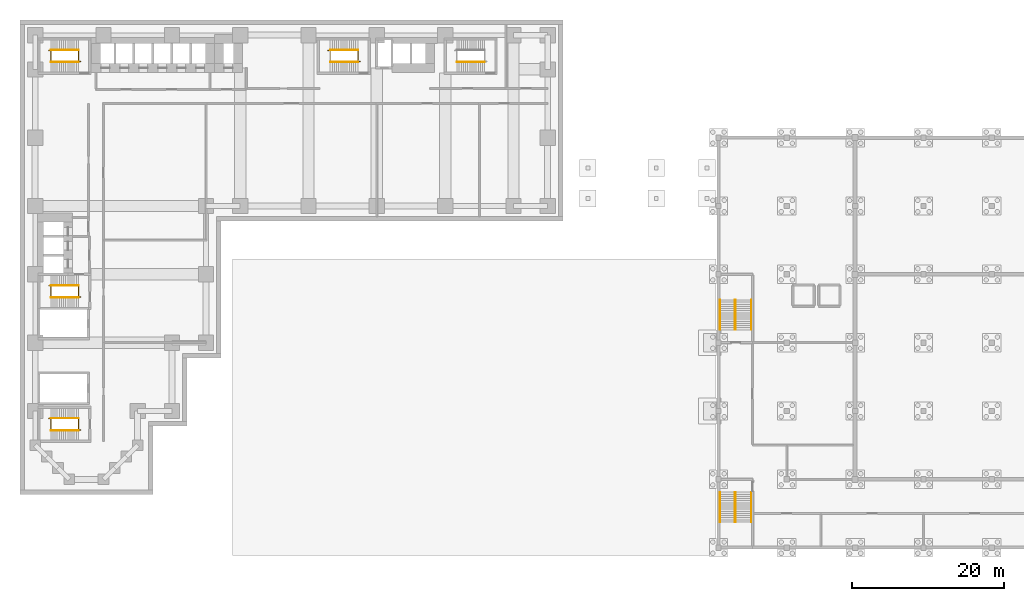
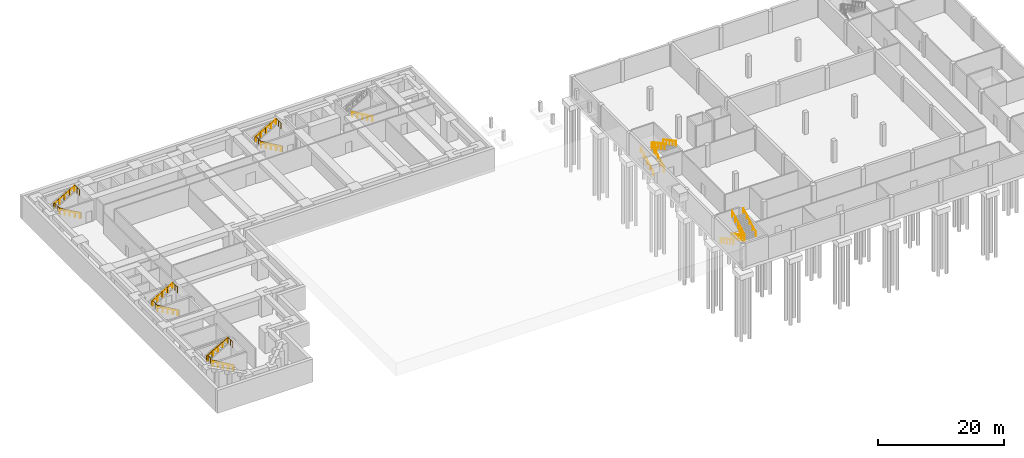
# One storey, part 11 of 12: 23 railings.
"""IFC4 building model written with IfcOpenShell, lengths in metres."""

from ifc_helpers import new_model, si_unit, direction, frame, origin, origin_2d, place, context, subcontext, project, spatial, circle, extrude, material, type_object, element, save


model = new_model("IFC4")

# Units and contexts
model_context = context("Model", 3, precision=1e-05, world=origin(), true_north=direction((0.0, 1.0)))
body_context = subcontext(model_context, "Body", "Model", "MODEL_VIEW")
ifc_project = project(units=[si_unit("LENGTHUNIT", "METRE"), si_unit("AREAUNIT", "SQUARE_METRE"), si_unit("VOLUMEUNIT", "CUBIC_METRE"), si_unit("PLANEANGLEUNIT", "RADIAN"), si_unit("MASSUNIT", "GRAM", prefix="KILO")], contexts=[model_context])

# Site, building, storey
site_placement = place(None, origin())
site = spatial("IfcSite", under=ifc_project, at=site_placement, CompositionType="ELEMENT")
building_placement = place(site_placement, origin())
building = spatial("IfcBuilding", under=site, at=building_placement, Name="Firuza Court", CompositionType="ELEMENT")
storey_placement = place(building_placement, frame((0.0, 0.0, -4.5)))
storey = spatial("IfcBuildingStorey", under=building, at=storey_placement, Name="B1", CompositionType="ELEMENT", Elevation=-4.5)

# Railings
ifc_material_1 = material(Name="Steel S355", Category="steel")
railing_type_1 = type_object("IfcRailingType", Name="HALL HANDRAIL 900", PredefinedType="HANDRAIL", material=ifc_material_1)
railing_1_placement = place(storey_placement, frame((90.18994140625, -1.699951171875, 0.14990234375)))
element("IfcRailing", 1, at=railing_1_placement, inside=storey, type_object=railing_type_1, Name="Stair H1 flight 1 handrail B1", PredefinedType="HANDRAIL", context=body_context, shape_type="SweptSolid", body=[
    extrude(circle(Radius=0.02099609375, at=origin_2d()), frame((0.0, 0.0, 0.87890625), z_axis=(0.0, -0.881479153919, 0.472222935917), x_axis=(1.0, 0.0, 0.0)), (0.0, 0.0, 1.0), 4.447265625),
    extrude(circle(Radius=0.02001953125, at=origin_2d()), origin(), (0.0, 0.0, 1.0), 0.85791015625),
    extrude(circle(Radius=0.02001953125, at=origin_2d()), frame((0.0, -0.97998046875, 0.52490234375)), (0.0, 0.0, 1.0), 0.85791015625),
    extrude(circle(Radius=0.02001953125, at=origin_2d()), frame((0.0, -1.9599609375, 1.050048828125)), (0.0, 0.0, 1.0), 0.85791015625),
    extrude(circle(Radius=0.02001953125, at=origin_2d()), frame((0.0, -2.940185546875, 1.5751953125)), (0.0, 0.0, 1.0), 0.85791015625),
    extrude(circle(Radius=0.02001953125, at=origin_2d()), frame((0.0, -3.920166015625, 2.10009765625)), (0.0, 0.0, 1.0), 0.85791015625),
])
for number, where, name in (
    (2, (94.31005859375, -5.6201171875, 2.39990234375), "Stair H1 flight 2 handrail B1"),
    (3, (90.18994140625, 19.699951171875, 0.14990234375), "Stair H3 flight 1 handrail B1"),
):
    element("IfcRailing", number, at=place(storey_placement, frame(where)), inside=storey, type_object=railing_type_1, Name=name, PredefinedType="HANDRAIL", context=body_context, shape_type="SweptSolid", body=[
        extrude(circle(Radius=0.02099609375, at=origin_2d()), frame((0.0, 0.0, 0.87890625), z_axis=(0.0, 0.881479153919, 0.472222935917), x_axis=(-1.0, 0.0, 0.0)), (0.0, 0.0, 1.0), 4.447265625),
        extrude(circle(Radius=0.02001953125, at=origin_2d()), origin(), (0.0, 0.0, 1.0), 0.85791015625),
        extrude(circle(Radius=0.02001953125, at=origin_2d()), frame((0.0, 0.97998046875, 0.52490234375)), (0.0, 0.0, 1.0), 0.85791015625),
        extrude(circle(Radius=0.02001953125, at=origin_2d()), frame((0.0, 1.9599609375, 1.050048828125)), (0.0, 0.0, 1.0), 0.85791015625),
        extrude(circle(Radius=0.02001953125, at=origin_2d()), frame((0.0, 2.940185546875, 1.5751953125)), (0.0, 0.0, 1.0), 0.85791015625),
        extrude(circle(Radius=0.02001953125, at=origin_2d()), frame((0.0, 3.920166015625, 2.10009765625)), (0.0, 0.0, 1.0), 0.85791015625),
    ])
railing_2_placement = place(storey_placement, frame((94.31005859375, 23.6201171875, 2.39990234375)))
element("IfcRailing", 4, at=railing_2_placement, inside=storey, type_object=railing_type_1, Name="Stair H3 flight 2 handrail B1", PredefinedType="HANDRAIL", context=body_context, shape_type="SweptSolid", body=[
    extrude(circle(Radius=0.02099609375, at=origin_2d()), frame((0.0, 0.0, 0.87890625), z_axis=(0.0, -0.881479153919, 0.472222935917), x_axis=(1.0, 0.0, 0.0)), (0.0, 0.0, 1.0), 4.447265625),
    extrude(circle(Radius=0.02001953125, at=origin_2d()), origin(), (0.0, 0.0, 1.0), 0.85791015625),
    extrude(circle(Radius=0.02001953125, at=origin_2d()), frame((0.0, -0.97998046875, 0.52490234375)), (0.0, 0.0, 1.0), 0.85791015625),
    extrude(circle(Radius=0.02001953125, at=origin_2d()), frame((0.0, -1.9599609375, 1.050048828125)), (0.0, 0.0, 1.0), 0.85791015625),
    extrude(circle(Radius=0.02001953125, at=origin_2d()), frame((0.0, -2.940185546875, 1.5751953125)), (0.0, 0.0, 1.0), 0.85791015625),
    extrude(circle(Radius=0.02001953125, at=origin_2d()), frame((0.0, -3.920166015625, 2.10009765625)), (0.0, 0.0, 1.0), 0.85791015625),
])
ifc_material_2 = material(Name="Steel S355", Category="steel")
railing_type_2 = type_object("IfcRailingType", Name="HALL RAILING 1100", PredefinedType="GUARDRAIL", material=ifc_material_2)
railing_3_placement = place(storey_placement, frame((92.14990234375, -1.699951171875, 0.14990234375)))
element("IfcRailing", 5, at=railing_3_placement, inside=storey, type_object=railing_type_2, Name="Stair H1 flight 1 guard B1", PredefinedType="GUARDRAIL", context=body_context, shape_type="SweptSolid", body=[
    extrude(circle(Radius=0.02392578125, at=origin_2d()), frame((0.0, 0.0, 1.076171875), z_axis=(0.0, -0.881479153919, 0.472222935917), x_axis=(1.0, 0.0, 0.0)), (0.0, 0.0, 1.0), 4.447265625),
    extrude(circle(Radius=0.02099609375, at=origin_2d()), origin(), (0.0, 0.0, 1.0), 1.052001953125),
    extrude(circle(Radius=0.02099609375, at=origin_2d()), frame((0.0, -0.97998046875, 0.52490234375)), (0.0, 0.0, 1.0), 1.052001953125),
    extrude(circle(Radius=0.02099609375, at=origin_2d()), frame((0.0, -1.9599609375, 1.050048828125)), (0.0, 0.0, 1.0), 1.052001953125),
    extrude(circle(Radius=0.02099609375, at=origin_2d()), frame((0.0, -2.940185546875, 1.5751953125)), (0.0, 0.0, 1.0), 1.052001953125),
    extrude(circle(Radius=0.02099609375, at=origin_2d()), frame((0.0, -3.920166015625, 2.10009765625)), (0.0, 0.0, 1.0), 1.052001953125),
])
railing_4_placement = place(storey_placement, frame((92.25, -5.6201171875, 2.39990234375)))
element("IfcRailing", 6, at=railing_4_placement, inside=storey, type_object=railing_type_2, Name="Stair H1 flight 2 guard B1", PredefinedType="GUARDRAIL", context=body_context, shape_type="SweptSolid", body=[
    extrude(circle(Radius=0.02392578125, at=origin_2d()), frame((0.0, 0.0, 1.076171875), z_axis=(0.0, 0.881479153919, 0.472222935917), x_axis=(-1.0, 0.0, 0.0)), (0.0, 0.0, 1.0), 4.447265625),
    extrude(circle(Radius=0.02099609375, at=origin_2d()), origin(), (0.0, 0.0, 1.0), 1.052001953125),
    extrude(circle(Radius=0.02099609375, at=origin_2d()), frame((0.0, 0.97998046875, 0.52490234375)), (0.0, 0.0, 1.0), 1.052001953125),
    extrude(circle(Radius=0.02099609375, at=origin_2d()), frame((0.0, 1.9599609375, 1.050048828125)), (0.0, 0.0, 1.0), 1.052001953125),
    extrude(circle(Radius=0.02099609375, at=origin_2d()), frame((0.0, 2.940185546875, 1.5751953125)), (0.0, 0.0, 1.0), 1.052001953125),
    extrude(circle(Radius=0.02099609375, at=origin_2d()), frame((0.0, 3.920166015625, 2.10009765625)), (0.0, 0.0, 1.0), 1.052001953125),
])
railing_5_placement = place(storey_placement, frame((92.199951171875, -4.1201171875, 2.25)))
element("IfcRailing", 7, at=railing_5_placement, inside=storey, type_object=railing_type_2, Name="Stair H1 landing guard 1 B1", PredefinedType="GUARDRAIL", context=body_context, shape_type="SweptSolid", body=[
    extrude(circle(Radius=0.02392578125, at=origin_2d()), frame((0.0, 0.0, 1.076171875), z_axis=(0.0, -1.0, 0.0), x_axis=(1.0, 0.0, 0.0)), (0.0, 0.0, 1.0), 1.5),
    extrude(circle(Radius=0.02099609375, at=origin_2d()), origin(), (0.0, 0.0, 1.0), 1.052001953125),
    extrude(circle(Radius=0.02099609375, at=origin_2d()), frame((0.0, -0.75, 0.0)), (0.0, 0.0, 1.0), 1.052001953125),
    extrude(circle(Radius=0.02099609375, at=origin_2d()), frame((0.0, -1.5, 0.0)), (0.0, 0.0, 1.0), 1.052001953125),
])
railing_6_placement = place(storey_placement, frame((92.14990234375, 19.699951171875, 0.14990234375)))
element("IfcRailing", 8, at=railing_6_placement, inside=storey, type_object=railing_type_2, Name="Stair H3 flight 1 guard B1", PredefinedType="GUARDRAIL", context=body_context, shape_type="SweptSolid", body=[
    extrude(circle(Radius=0.02392578125, at=origin_2d()), frame((0.0, 0.0, 1.076171875), z_axis=(0.0, 0.881479153919, 0.472222935917), x_axis=(-1.0, 0.0, 0.0)), (0.0, 0.0, 1.0), 4.447265625),
    extrude(circle(Radius=0.02099609375, at=origin_2d()), origin(), (0.0, 0.0, 1.0), 1.052001953125),
    extrude(circle(Radius=0.02099609375, at=origin_2d()), frame((0.0, 0.97998046875, 0.52490234375)), (0.0, 0.0, 1.0), 1.052001953125),
    extrude(circle(Radius=0.02099609375, at=origin_2d()), frame((0.0, 1.9599609375, 1.050048828125)), (0.0, 0.0, 1.0), 1.052001953125),
    extrude(circle(Radius=0.02099609375, at=origin_2d()), frame((0.0, 2.940185546875, 1.5751953125)), (0.0, 0.0, 1.0), 1.052001953125),
    extrude(circle(Radius=0.02099609375, at=origin_2d()), frame((0.0, 3.920166015625, 2.10009765625)), (0.0, 0.0, 1.0), 1.052001953125),
])
railing_7_placement = place(storey_placement, frame((92.25, 23.6201171875, 2.39990234375)))
element("IfcRailing", 9, at=railing_7_placement, inside=storey, type_object=railing_type_2, Name="Stair H3 flight 2 guard B1", PredefinedType="GUARDRAIL", context=body_context, shape_type="SweptSolid", body=[
    extrude(circle(Radius=0.02392578125, at=origin_2d()), frame((0.0, 0.0, 1.076171875), z_axis=(0.0, -0.881479153919, 0.472222935917), x_axis=(1.0, 0.0, 0.0)), (0.0, 0.0, 1.0), 4.447265625),
    extrude(circle(Radius=0.02099609375, at=origin_2d()), origin(), (0.0, 0.0, 1.0), 1.052001953125),
    extrude(circle(Radius=0.02099609375, at=origin_2d()), frame((0.0, -0.97998046875, 0.52490234375)), (0.0, 0.0, 1.0), 1.052001953125),
    extrude(circle(Radius=0.02099609375, at=origin_2d()), frame((0.0, -1.9599609375, 1.050048828125)), (0.0, 0.0, 1.0), 1.052001953125),
    extrude(circle(Radius=0.02099609375, at=origin_2d()), frame((0.0, -2.940185546875, 1.5751953125)), (0.0, 0.0, 1.0), 1.052001953125),
    extrude(circle(Radius=0.02099609375, at=origin_2d()), frame((0.0, -3.920166015625, 2.10009765625)), (0.0, 0.0, 1.0), 1.052001953125),
])
railing_8_placement = place(storey_placement, frame((92.199951171875, 22.1201171875, 2.25)))
element("IfcRailing", 10, at=railing_8_placement, inside=storey, type_object=railing_type_2, Name="Stair H3 landing guard 1 B1", PredefinedType="GUARDRAIL", context=body_context, shape_type="SweptSolid", body=[
    extrude(circle(Radius=0.02392578125, at=origin_2d()), frame((0.0, 0.0, 1.076171875), z_axis=(0.0, 1.0, 0.0), x_axis=(-1.0, 0.0, 0.0)), (0.0, 0.0, 1.0), 1.5),
    extrude(circle(Radius=0.02099609375, at=origin_2d()), origin(), (0.0, 0.0, 1.0), 1.052001953125),
    extrude(circle(Radius=0.02099609375, at=origin_2d()), frame((0.0, 0.75, 0.0)), (0.0, 0.0, 1.0), 1.052001953125),
    extrude(circle(Radius=0.02099609375, at=origin_2d()), frame((0.0, 1.5, 0.0)), (0.0, 0.0, 1.0), 1.052001953125),
])
ifc_material_3 = material(Name="Steel S355", Category="steel")
railing_type_3 = type_object("IfcRailingType", Name="Handrail 900", PredefinedType="HANDRAIL", material=ifc_material_3)
railing_9_placement = place(storey_placement, frame((42.5, 54.949951171875, 0.16064453125)))
element("IfcRailing", 11, at=railing_9_placement, inside=storey, type_object=railing_type_3, Name="Handrail S1 flight 1", PredefinedType="HANDRAIL", context=body_context, shape_type="SweptSolid", body=[
    extrude(circle(Radius=0.02490234375, at=origin_2d()), frame((0.0, 0.0, 0.875), z_axis=(-0.8672749571, 0.0, 0.497829437445), x_axis=(0.0, -1.0, 0.0)), (0.0, 0.0, 1.0), 4.197021484375),
    extrude(circle(Radius=0.02001953125, at=origin_2d()), origin(), (0.0, 0.0, 1.0), 0.849853515625),
    extrude(circle(Radius=0.02001953125, at=origin_2d()), frame((-0.909912109375, 0.0, 0.5224609375)), (0.0, 0.0, 1.0), 0.849853515625),
    extrude(circle(Radius=0.02001953125, at=origin_2d()), frame((-1.81982421875, 0.0, 1.044677734375)), (0.0, 0.0, 1.0), 0.849853515625),
    extrude(circle(Radius=0.02001953125, at=origin_2d()), frame((-2.72998046875, 0.0, 1.56689453125)), (0.0, 0.0, 1.0), 0.849853515625),
    extrude(circle(Radius=0.02001953125, at=origin_2d()), frame((-3.639892578125, 0.0, 2.08935546875)), (0.0, 0.0, 1.0), 0.849853515625),
])
railing_10_placement = place(storey_placement, frame((38.860107421875, 56.550048828125, 2.41064453125)))
element("IfcRailing", 12, at=railing_10_placement, inside=storey, type_object=railing_type_3, Name="Handrail S1 flight 2", PredefinedType="HANDRAIL", context=body_context, shape_type="SweptSolid", body=[
    extrude(circle(Radius=0.02490234375, at=origin_2d()), frame((0.0, 0.0, 0.875), z_axis=(0.8672749571, 0.0, 0.497829437445), x_axis=(0.0, 1.0, 0.0)), (0.0, 0.0, 1.0), 4.197021484375),
    extrude(circle(Radius=0.02001953125, at=origin_2d()), origin(), (0.0, 0.0, 1.0), 0.849853515625),
    extrude(circle(Radius=0.02001953125, at=origin_2d()), frame((0.909912109375, 0.0, 0.5224609375)), (0.0, 0.0, 1.0), 0.849853515625),
    extrude(circle(Radius=0.02001953125, at=origin_2d()), frame((1.81982421875, 0.0, 1.044677734375)), (0.0, 0.0, 1.0), 0.849853515625),
    extrude(circle(Radius=0.02001953125, at=origin_2d()), frame((2.72998046875, 0.0, 1.56689453125)), (0.0, 0.0, 1.0), 0.849853515625),
    extrude(circle(Radius=0.02001953125, at=origin_2d()), frame((3.639892578125, 0.0, 2.08935546875)), (0.0, 0.0, 1.0), 0.849853515625),
])
railing_11_placement = place(storey_placement, frame((5.699951171875, 23.949951171875, 0.16064453125)))
element("IfcRailing", 13, at=railing_11_placement, inside=storey, type_object=railing_type_3, Name="Handrail S2 flight 1", PredefinedType="HANDRAIL", context=body_context, shape_type="SweptSolid", body=[
    extrude(circle(Radius=0.02490234375, at=origin_2d()), frame((0.0, 0.0, 0.875), z_axis=(-0.8672749571, 0.0, 0.497829437445), x_axis=(0.0, -1.0, 0.0)), (0.0, 0.0, 1.0), 4.197021484375),
    extrude(circle(Radius=0.02001953125, at=origin_2d()), origin(), (0.0, 0.0, 1.0), 0.849853515625),
    extrude(circle(Radius=0.02001953125, at=origin_2d()), frame((-0.909912109375, 0.0, 0.5224609375)), (0.0, 0.0, 1.0), 0.849853515625),
    extrude(circle(Radius=0.02001953125, at=origin_2d()), frame((-1.81982421875, 0.0, 1.044677734375)), (0.0, 0.0, 1.0), 0.849853515625),
    extrude(circle(Radius=0.02001953125, at=origin_2d()), frame((-2.72998046875, 0.0, 1.56689453125)), (0.0, 0.0, 1.0), 0.849853515625),
    extrude(circle(Radius=0.02001953125, at=origin_2d()), frame((-3.639892578125, 0.0, 2.08935546875)), (0.0, 0.0, 1.0), 0.849853515625),
])
railing_12_placement = place(storey_placement, frame((2.06005859375, 25.550048828125, 2.41064453125)))
element("IfcRailing", 14, at=railing_12_placement, inside=storey, type_object=railing_type_3, Name="Handrail S2 flight 2", PredefinedType="HANDRAIL", context=body_context, shape_type="SweptSolid", body=[
    extrude(circle(Radius=0.02490234375, at=origin_2d()), frame((0.0, 0.0, 0.875), z_axis=(0.8672749571, 0.0, 0.497829437445), x_axis=(0.0, 1.0, 0.0)), (0.0, 0.0, 1.0), 4.197021484375),
    extrude(circle(Radius=0.02001953125, at=origin_2d()), origin(), (0.0, 0.0, 1.0), 0.849853515625),
    extrude(circle(Radius=0.02001953125, at=origin_2d()), frame((0.909912109375, 0.0, 0.5224609375)), (0.0, 0.0, 1.0), 0.849853515625),
    extrude(circle(Radius=0.02001953125, at=origin_2d()), frame((1.81982421875, 0.0, 1.044677734375)), (0.0, 0.0, 1.0), 0.849853515625),
    extrude(circle(Radius=0.02001953125, at=origin_2d()), frame((2.72998046875, 0.0, 1.56689453125)), (0.0, 0.0, 1.0), 0.849853515625),
    extrude(circle(Radius=0.02001953125, at=origin_2d()), frame((3.639892578125, 0.0, 2.08935546875)), (0.0, 0.0, 1.0), 0.849853515625),
])
railing_13_placement = place(storey_placement, frame((5.699951171875, 54.949951171875, 0.16064453125)))
element("IfcRailing", 15, at=railing_13_placement, inside=storey, type_object=railing_type_3, Name="Handrail S3 flight 1", PredefinedType="HANDRAIL", context=body_context, shape_type="SweptSolid", body=[
    extrude(circle(Radius=0.02490234375, at=origin_2d()), frame((0.0, 0.0, 0.875), z_axis=(-0.8672749571, 0.0, 0.497829437445), x_axis=(0.0, -1.0, 0.0)), (0.0, 0.0, 1.0), 4.197021484375),
    extrude(circle(Radius=0.02001953125, at=origin_2d()), origin(), (0.0, 0.0, 1.0), 0.849853515625),
    extrude(circle(Radius=0.02001953125, at=origin_2d()), frame((-0.909912109375, 0.0, 0.5224609375)), (0.0, 0.0, 1.0), 0.849853515625),
    extrude(circle(Radius=0.02001953125, at=origin_2d()), frame((-1.81982421875, 0.0, 1.044677734375)), (0.0, 0.0, 1.0), 0.849853515625),
    extrude(circle(Radius=0.02001953125, at=origin_2d()), frame((-2.72998046875, 0.0, 1.56689453125)), (0.0, 0.0, 1.0), 0.849853515625),
    extrude(circle(Radius=0.02001953125, at=origin_2d()), frame((-3.639892578125, 0.0, 2.08935546875)), (0.0, 0.0, 1.0), 0.849853515625),
])
railing_14_placement = place(storey_placement, frame((2.06005859375, 56.550048828125, 2.41064453125)))
element("IfcRailing", 16, at=railing_14_placement, inside=storey, type_object=railing_type_3, Name="Handrail S3 flight 2", PredefinedType="HANDRAIL", context=body_context, shape_type="SweptSolid", body=[
    extrude(circle(Radius=0.02490234375, at=origin_2d()), frame((0.0, 0.0, 0.875), z_axis=(0.8672749571, 0.0, 0.497829437445), x_axis=(0.0, 1.0, 0.0)), (0.0, 0.0, 1.0), 4.197021484375),
    extrude(circle(Radius=0.02001953125, at=origin_2d()), origin(), (0.0, 0.0, 1.0), 0.849853515625),
    extrude(circle(Radius=0.02001953125, at=origin_2d()), frame((0.909912109375, 0.0, 0.5224609375)), (0.0, 0.0, 1.0), 0.849853515625),
    extrude(circle(Radius=0.02001953125, at=origin_2d()), frame((1.81982421875, 0.0, 1.044677734375)), (0.0, 0.0, 1.0), 0.849853515625),
    extrude(circle(Radius=0.02001953125, at=origin_2d()), frame((2.72998046875, 0.0, 1.56689453125)), (0.0, 0.0, 1.0), 0.849853515625),
    extrude(circle(Radius=0.02001953125, at=origin_2d()), frame((3.639892578125, 0.0, 2.08935546875)), (0.0, 0.0, 1.0), 0.849853515625),
])
for number, where, name in (
    (17, (59.199951171875, 54.949951171875, 0.16064453125), "Handrail S4 flight 1"),
    (18, (5.699951171875, 6.449951171875, 0.16064453125), "Handrail S5 flight 1"),
):
    element("IfcRailing", number, at=place(storey_placement, frame(where)), inside=storey, type_object=railing_type_3, Name=name, PredefinedType="HANDRAIL", context=body_context, shape_type="SweptSolid", body=[
        extrude(circle(Radius=0.02490234375, at=origin_2d()), frame((0.0, 0.0, 0.875), z_axis=(-0.8672749571, 0.0, 0.497829437445), x_axis=(0.0, -1.0, 0.0)), (0.0, 0.0, 1.0), 4.197021484375),
        extrude(circle(Radius=0.02001953125, at=origin_2d()), origin(), (0.0, 0.0, 1.0), 0.849853515625),
        extrude(circle(Radius=0.02001953125, at=origin_2d()), frame((-0.909912109375, 0.0, 0.5224609375)), (0.0, 0.0, 1.0), 0.849853515625),
        extrude(circle(Radius=0.02001953125, at=origin_2d()), frame((-1.81982421875, 0.0, 1.044677734375)), (0.0, 0.0, 1.0), 0.849853515625),
        extrude(circle(Radius=0.02001953125, at=origin_2d()), frame((-2.72998046875, 0.0, 1.56689453125)), (0.0, 0.0, 1.0), 0.849853515625),
        extrude(circle(Radius=0.02001953125, at=origin_2d()), frame((-3.639892578125, 0.0, 2.08935546875)), (0.0, 0.0, 1.0), 0.849853515625),
    ])
railing_15_placement = place(storey_placement, frame((2.06005859375, 8.050048828125, 2.41064453125)))
element("IfcRailing", 19, at=railing_15_placement, inside=storey, type_object=railing_type_3, Name="Handrail S5 flight 2", PredefinedType="HANDRAIL", context=body_context, shape_type="SweptSolid", body=[
    extrude(circle(Radius=0.02490234375, at=origin_2d()), frame((0.0, 0.0, 0.875), z_axis=(0.8672749571, 0.0, 0.497829437445), x_axis=(0.0, 1.0, 0.0)), (0.0, 0.0, 1.0), 4.197021484375),
    extrude(circle(Radius=0.02001953125, at=origin_2d()), origin(), (0.0, 0.0, 1.0), 0.849853515625),
    extrude(circle(Radius=0.02001953125, at=origin_2d()), frame((0.909912109375, 0.0, 0.5224609375)), (0.0, 0.0, 1.0), 0.849853515625),
    extrude(circle(Radius=0.02001953125, at=origin_2d()), frame((1.81982421875, 0.0, 1.044677734375)), (0.0, 0.0, 1.0), 0.849853515625),
    extrude(circle(Radius=0.02001953125, at=origin_2d()), frame((2.72998046875, 0.0, 1.56689453125)), (0.0, 0.0, 1.0), 0.849853515625),
    extrude(circle(Radius=0.02001953125, at=origin_2d()), frame((3.639892578125, 0.0, 2.08935546875)), (0.0, 0.0, 1.0), 0.849853515625),
])
ifc_material_4 = material(Name="Steel S355", Category="steel")
railing_type_4 = type_object("IfcRailingType", Name="Stair guard 1100", PredefinedType="GUARDRAIL", material=ifc_material_4)
railing_16_placement = place(storey_placement, frame((42.780029296875, 55.010009765625, 0.0)))
element("IfcRailing", 20, at=railing_16_placement, inside=storey, type_object=railing_type_4, Name="Stair well guard S1", PredefinedType="GUARDRAIL", context=body_context, shape_type="SweptSolid", body=[
    extrude(circle(Radius=0.02490234375, at=origin_2d()), frame((0.0, 0.0, 1.0751953125), z_axis=(-0.867284192427, 0.0, 0.49781334812), x_axis=(0.0, -1.0, 0.0)), (0.0, 0.0, 1.0), 4.519775390625),
    extrude(circle(Radius=0.02490234375, at=origin_2d()), frame((-3.919921875, 0.0, 3.3251953125), z_axis=(0.0, 1.0, 0.0), x_axis=(-1.0, 0.0, 0.0)), (0.0, 0.0, 1.0), 1.47998046875),
    extrude(circle(Radius=0.02490234375, at=origin_2d()), frame((-3.919921875, 1.47998046875, 3.3251953125), z_axis=(-1.0, 0.0, 0.0), x_axis=(0.0, -1.0, 0.0)), (0.0, 0.0, 1.0), 0.280029296875),
    extrude(circle(Radius=0.02490234375, at=origin_2d()), frame((-4.199951171875, 1.47998046875, 3.3251953125), z_axis=(0.867284192427, 0.0, 0.49781334812), x_axis=(0.0, 1.0, 0.0)), (0.0, 0.0, 1.0), 4.519775390625),
    extrude(circle(Radius=0.02490234375, at=origin_2d()), frame((-0.280029296875, 1.47998046875, 5.5751953125), z_axis=(0.0, -1.0, 0.0), x_axis=(1.0, 0.0, 0.0)), (0.0, 0.0, 1.0), 1.47998046875),
    extrude(circle(Radius=0.02490234375, at=origin_2d()), origin(), (0.0, 0.0, 1.0), 1.050048828125),
    extrude(circle(Radius=0.02490234375, at=origin_2d()), frame((-0.97998046875, 0.0, 0.5625)), (0.0, 0.0, 1.0), 1.050048828125),
    extrude(circle(Radius=0.02490234375, at=origin_2d()), frame((-1.9599609375, 0.0, 1.125)), (0.0, 0.0, 1.0), 1.050048828125),
    extrude(circle(Radius=0.02490234375, at=origin_2d()), frame((-2.93994140625, 0.0, 1.6875)), (0.0, 0.0, 1.0), 1.050048828125),
    extrude(circle(Radius=0.02490234375, at=origin_2d()), frame((-3.919921875, 0.0, 2.25)), (0.0, 0.0, 1.0), 1.050048828125),
    extrude(circle(Radius=0.02490234375, at=origin_2d()), frame((-3.919921875, 0.739990234375, 2.25)), (0.0, 0.0, 1.0), 1.050048828125),
    extrude(circle(Radius=0.02490234375, at=origin_2d()), frame((-3.919921875, 1.47998046875, 2.25)), (0.0, 0.0, 1.0), 1.050048828125),
    extrude(circle(Radius=0.02490234375, at=origin_2d()), frame((-4.199951171875, 1.47998046875, 2.25)), (0.0, 0.0, 1.0), 1.050048828125),
    extrude(circle(Radius=0.02490234375, at=origin_2d()), frame((-3.219970703125, 1.47998046875, 2.8125)), (0.0, 0.0, 1.0), 1.050048828125),
    extrude(circle(Radius=0.02490234375, at=origin_2d()), frame((-2.239990234375, 1.47998046875, 3.375)), (0.0, 0.0, 1.0), 1.050048828125),
    extrude(circle(Radius=0.02490234375, at=origin_2d()), frame((-1.260009765625, 1.47998046875, 3.9375)), (0.0, 0.0, 1.0), 1.050048828125),
    extrude(circle(Radius=0.02490234375, at=origin_2d()), frame((-0.280029296875, 1.47998046875, 4.5)), (0.0, 0.0, 1.0), 1.050048828125),
    extrude(circle(Radius=0.02490234375, at=origin_2d()), frame((-0.280029296875, 0.739990234375, 4.5)), (0.0, 0.0, 1.0), 1.050048828125),
    extrude(circle(Radius=0.02490234375, at=origin_2d()), frame((-0.280029296875, 0.0, 4.5)), (0.0, 0.0, 1.0), 1.050048828125),
])
railing_17_placement = place(storey_placement, frame((5.97998046875, 24.010009765625, 0.0)))
element("IfcRailing", 21, at=railing_17_placement, inside=storey, type_object=railing_type_4, Name="Stair well guard S2", PredefinedType="GUARDRAIL", context=body_context, shape_type="SweptSolid", body=[
    extrude(circle(Radius=0.02490234375, at=origin_2d()), frame((0.0, 0.0, 1.0751953125), z_axis=(-0.867284192427, 0.0, 0.49781334812), x_axis=(0.0, -1.0, 0.0)), (0.0, 0.0, 1.0), 4.519775390625),
    extrude(circle(Radius=0.02490234375, at=origin_2d()), frame((-3.919921875, 0.0, 3.3251953125), z_axis=(0.0, 1.0, 0.0), x_axis=(-1.0, 0.0, 0.0)), (0.0, 0.0, 1.0), 1.47998046875),
    extrude(circle(Radius=0.02490234375, at=origin_2d()), frame((-3.919921875, 1.47998046875, 3.3251953125), z_axis=(-1.0, 0.0, 0.0), x_axis=(0.0, -1.0, 0.0)), (0.0, 0.0, 1.0), 0.280029296875),
    extrude(circle(Radius=0.02490234375, at=origin_2d()), frame((-4.199951171875, 1.47998046875, 3.3251953125), z_axis=(0.867284192427, 0.0, 0.49781334812), x_axis=(0.0, 1.0, 0.0)), (0.0, 0.0, 1.0), 4.519775390625),
    extrude(circle(Radius=0.02490234375, at=origin_2d()), frame((-0.280029296875, 1.47998046875, 5.5751953125), z_axis=(0.0, -1.0, 0.0), x_axis=(1.0, 0.0, 0.0)), (0.0, 0.0, 1.0), 1.47998046875),
    extrude(circle(Radius=0.02490234375, at=origin_2d()), origin(), (0.0, 0.0, 1.0), 1.050048828125),
    extrude(circle(Radius=0.02490234375, at=origin_2d()), frame((-0.97998046875, 0.0, 0.5625)), (0.0, 0.0, 1.0), 1.050048828125),
    extrude(circle(Radius=0.02490234375, at=origin_2d()), frame((-1.9599609375, 0.0, 1.125)), (0.0, 0.0, 1.0), 1.050048828125),
    extrude(circle(Radius=0.02490234375, at=origin_2d()), frame((-2.93994140625, 0.0, 1.6875)), (0.0, 0.0, 1.0), 1.050048828125),
    extrude(circle(Radius=0.02490234375, at=origin_2d()), frame((-3.919921875, 0.0, 2.25)), (0.0, 0.0, 1.0), 1.050048828125),
    extrude(circle(Radius=0.02490234375, at=origin_2d()), frame((-3.919921875, 0.739990234375, 2.25)), (0.0, 0.0, 1.0), 1.050048828125),
    extrude(circle(Radius=0.02490234375, at=origin_2d()), frame((-3.919921875, 1.47998046875, 2.25)), (0.0, 0.0, 1.0), 1.050048828125),
    extrude(circle(Radius=0.02490234375, at=origin_2d()), frame((-4.199951171875, 1.47998046875, 2.25)), (0.0, 0.0, 1.0), 1.050048828125),
    extrude(circle(Radius=0.02490234375, at=origin_2d()), frame((-3.219970703125, 1.47998046875, 2.8125)), (0.0, 0.0, 1.0), 1.050048828125),
    extrude(circle(Radius=0.02490234375, at=origin_2d()), frame((-2.239990234375, 1.47998046875, 3.375)), (0.0, 0.0, 1.0), 1.050048828125),
    extrude(circle(Radius=0.02490234375, at=origin_2d()), frame((-1.260009765625, 1.47998046875, 3.9375)), (0.0, 0.0, 1.0), 1.050048828125),
    extrude(circle(Radius=0.02490234375, at=origin_2d()), frame((-0.280029296875, 1.47998046875, 4.5)), (0.0, 0.0, 1.0), 1.050048828125),
    extrude(circle(Radius=0.02490234375, at=origin_2d()), frame((-0.280029296875, 0.739990234375, 4.5)), (0.0, 0.0, 1.0), 1.050048828125),
    extrude(circle(Radius=0.02490234375, at=origin_2d()), frame((-0.280029296875, 0.0, 4.5)), (0.0, 0.0, 1.0), 1.050048828125),
])
railing_18_placement = place(storey_placement, frame((5.97998046875, 55.010009765625, 0.0)))
element("IfcRailing", 22, at=railing_18_placement, inside=storey, type_object=railing_type_4, Name="Stair well guard S3", PredefinedType="GUARDRAIL", context=body_context, shape_type="SweptSolid", body=[
    extrude(circle(Radius=0.02490234375, at=origin_2d()), frame((0.0, 0.0, 1.0751953125), z_axis=(-0.867284192427, 0.0, 0.49781334812), x_axis=(0.0, -1.0, 0.0)), (0.0, 0.0, 1.0), 4.519775390625),
    extrude(circle(Radius=0.02490234375, at=origin_2d()), frame((-3.919921875, 0.0, 3.3251953125), z_axis=(0.0, 1.0, 0.0), x_axis=(-1.0, 0.0, 0.0)), (0.0, 0.0, 1.0), 1.47998046875),
    extrude(circle(Radius=0.02490234375, at=origin_2d()), frame((-3.919921875, 1.47998046875, 3.3251953125), z_axis=(-1.0, 0.0, 0.0), x_axis=(0.0, -1.0, 0.0)), (0.0, 0.0, 1.0), 0.280029296875),
    extrude(circle(Radius=0.02490234375, at=origin_2d()), frame((-4.199951171875, 1.47998046875, 3.3251953125), z_axis=(0.867284192427, 0.0, 0.49781334812), x_axis=(0.0, 1.0, 0.0)), (0.0, 0.0, 1.0), 4.519775390625),
    extrude(circle(Radius=0.02490234375, at=origin_2d()), frame((-0.280029296875, 1.47998046875, 5.5751953125), z_axis=(0.0, -1.0, 0.0), x_axis=(1.0, 0.0, 0.0)), (0.0, 0.0, 1.0), 1.47998046875),
    extrude(circle(Radius=0.02490234375, at=origin_2d()), origin(), (0.0, 0.0, 1.0), 1.050048828125),
    extrude(circle(Radius=0.02490234375, at=origin_2d()), frame((-0.97998046875, 0.0, 0.5625)), (0.0, 0.0, 1.0), 1.050048828125),
    extrude(circle(Radius=0.02490234375, at=origin_2d()), frame((-1.9599609375, 0.0, 1.125)), (0.0, 0.0, 1.0), 1.050048828125),
    extrude(circle(Radius=0.02490234375, at=origin_2d()), frame((-2.93994140625, 0.0, 1.6875)), (0.0, 0.0, 1.0), 1.050048828125),
    extrude(circle(Radius=0.02490234375, at=origin_2d()), frame((-3.919921875, 0.0, 2.25)), (0.0, 0.0, 1.0), 1.050048828125),
    extrude(circle(Radius=0.02490234375, at=origin_2d()), frame((-3.919921875, 0.739990234375, 2.25)), (0.0, 0.0, 1.0), 1.050048828125),
    extrude(circle(Radius=0.02490234375, at=origin_2d()), frame((-3.919921875, 1.47998046875, 2.25)), (0.0, 0.0, 1.0), 1.050048828125),
    extrude(circle(Radius=0.02490234375, at=origin_2d()), frame((-4.199951171875, 1.47998046875, 2.25)), (0.0, 0.0, 1.0), 1.050048828125),
    extrude(circle(Radius=0.02490234375, at=origin_2d()), frame((-3.219970703125, 1.47998046875, 2.8125)), (0.0, 0.0, 1.0), 1.050048828125),
    extrude(circle(Radius=0.02490234375, at=origin_2d()), frame((-2.239990234375, 1.47998046875, 3.375)), (0.0, 0.0, 1.0), 1.050048828125),
    extrude(circle(Radius=0.02490234375, at=origin_2d()), frame((-1.260009765625, 1.47998046875, 3.9375)), (0.0, 0.0, 1.0), 1.050048828125),
    extrude(circle(Radius=0.02490234375, at=origin_2d()), frame((-0.280029296875, 1.47998046875, 4.5)), (0.0, 0.0, 1.0), 1.050048828125),
    extrude(circle(Radius=0.02490234375, at=origin_2d()), frame((-0.280029296875, 0.739990234375, 4.5)), (0.0, 0.0, 1.0), 1.050048828125),
    extrude(circle(Radius=0.02490234375, at=origin_2d()), frame((-0.280029296875, 0.0, 4.5)), (0.0, 0.0, 1.0), 1.050048828125),
])
railing_19_placement = place(storey_placement, frame((5.97998046875, 6.510009765625, 0.0)))
element("IfcRailing", 23, at=railing_19_placement, inside=storey, type_object=railing_type_4, Name="Stair well guard S5", PredefinedType="GUARDRAIL", context=body_context, shape_type="SweptSolid", body=[
    extrude(circle(Radius=0.02490234375, at=origin_2d()), frame((0.0, 0.0, 1.0751953125), z_axis=(-0.867284192427, 0.0, 0.49781334812), x_axis=(0.0, -1.0, 0.0)), (0.0, 0.0, 1.0), 4.519775390625),
    extrude(circle(Radius=0.02490234375, at=origin_2d()), frame((-3.919921875, 0.0, 3.3251953125), z_axis=(0.0, 1.0, 0.0), x_axis=(-1.0, 0.0, 0.0)), (0.0, 0.0, 1.0), 1.47998046875),
    extrude(circle(Radius=0.02490234375, at=origin_2d()), frame((-3.919921875, 1.47998046875, 3.3251953125), z_axis=(-1.0, 0.0, 0.0), x_axis=(0.0, -1.0, 0.0)), (0.0, 0.0, 1.0), 0.280029296875),
    extrude(circle(Radius=0.02490234375, at=origin_2d()), frame((-4.199951171875, 1.47998046875, 3.3251953125), z_axis=(0.867284192427, 0.0, 0.49781334812), x_axis=(0.0, 1.0, 0.0)), (0.0, 0.0, 1.0), 4.519775390625),
    extrude(circle(Radius=0.02490234375, at=origin_2d()), frame((-0.280029296875, 1.47998046875, 5.5751953125), z_axis=(0.0, -1.0, 0.0), x_axis=(1.0, 0.0, 0.0)), (0.0, 0.0, 1.0), 1.47998046875),
    extrude(circle(Radius=0.02490234375, at=origin_2d()), origin(), (0.0, 0.0, 1.0), 1.050048828125),
    extrude(circle(Radius=0.02490234375, at=origin_2d()), frame((-0.97998046875, 0.0, 0.5625)), (0.0, 0.0, 1.0), 1.050048828125),
    extrude(circle(Radius=0.02490234375, at=origin_2d()), frame((-1.9599609375, 0.0, 1.125)), (0.0, 0.0, 1.0), 1.050048828125),
    extrude(circle(Radius=0.02490234375, at=origin_2d()), frame((-2.93994140625, 0.0, 1.6875)), (0.0, 0.0, 1.0), 1.050048828125),
    extrude(circle(Radius=0.02490234375, at=origin_2d()), frame((-3.919921875, 0.0, 2.25)), (0.0, 0.0, 1.0), 1.050048828125),
    extrude(circle(Radius=0.02490234375, at=origin_2d()), frame((-3.919921875, 0.739990234375, 2.25)), (0.0, 0.0, 1.0), 1.050048828125),
    extrude(circle(Radius=0.02490234375, at=origin_2d()), frame((-3.919921875, 1.47998046875, 2.25)), (0.0, 0.0, 1.0), 1.050048828125),
    extrude(circle(Radius=0.02490234375, at=origin_2d()), frame((-4.199951171875, 1.47998046875, 2.25)), (0.0, 0.0, 1.0), 1.050048828125),
    extrude(circle(Radius=0.02490234375, at=origin_2d()), frame((-3.219970703125, 1.47998046875, 2.8125)), (0.0, 0.0, 1.0), 1.050048828125),
    extrude(circle(Radius=0.02490234375, at=origin_2d()), frame((-2.239990234375, 1.47998046875, 3.375)), (0.0, 0.0, 1.0), 1.050048828125),
    extrude(circle(Radius=0.02490234375, at=origin_2d()), frame((-1.260009765625, 1.47998046875, 3.9375)), (0.0, 0.0, 1.0), 1.050048828125),
    extrude(circle(Radius=0.02490234375, at=origin_2d()), frame((-0.280029296875, 1.47998046875, 4.5)), (0.0, 0.0, 1.0), 1.050048828125),
    extrude(circle(Radius=0.02490234375, at=origin_2d()), frame((-0.280029296875, 0.739990234375, 4.5)), (0.0, 0.0, 1.0), 1.050048828125),
    extrude(circle(Radius=0.02490234375, at=origin_2d()), frame((-0.280029296875, 0.0, 4.5)), (0.0, 0.0, 1.0), 1.050048828125),
])

save(model, "model.ifc")
